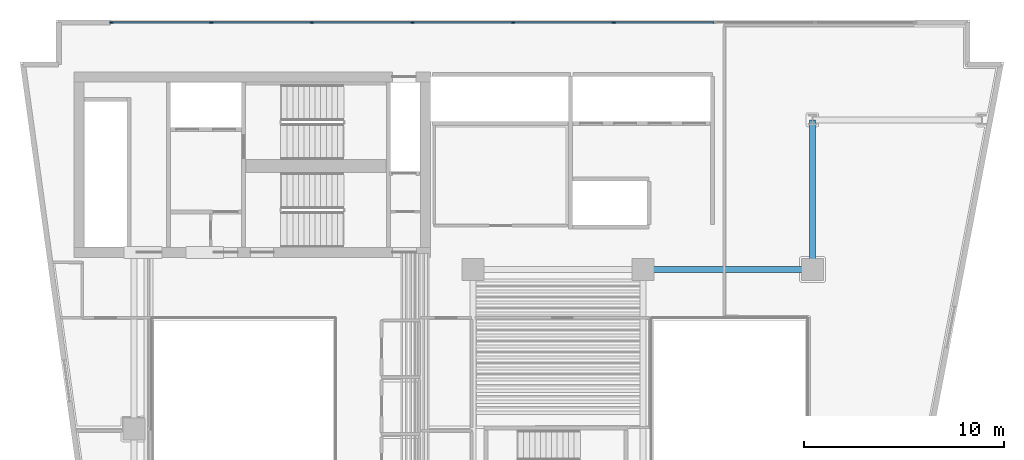
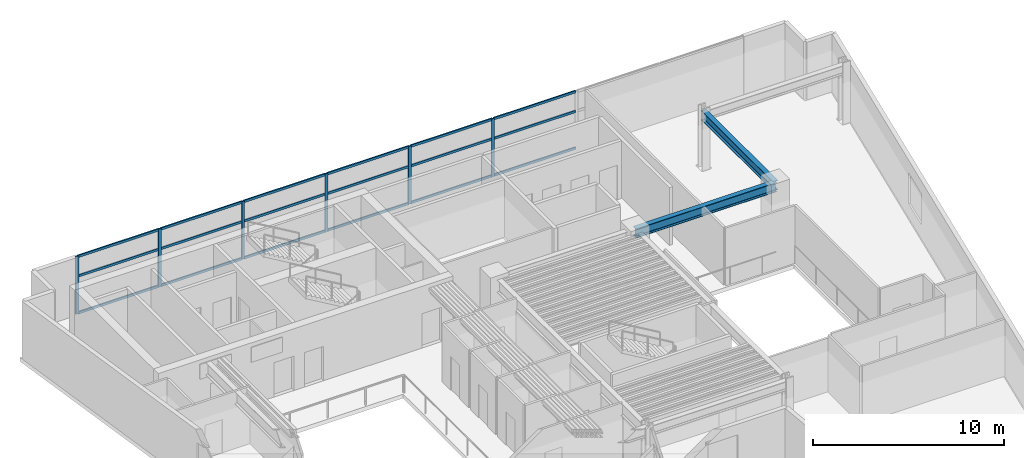
# One storey, part 3 of 12: 24 members, 2 beams, 1 element without a shape of its own.
"""IFC4 building model written with IfcOpenShell, lengths in metres."""

from ifc_helpers import new_model, si_unit, direction, frame, origin, origin_2d, place, context, subcontext, project, spatial, rectangle, i_section, extrude, material, layer, layer_set, material_profile, profile_set, type_object, element, aggregate, save


model = new_model("IFC4")

# Units and contexts
model_context = context("Model", 3, precision=1e-05, world=origin(), true_north=direction((0.0, 1.0)))
body_context = subcontext(model_context, "Body", "Model", "MODEL_VIEW")
ifc_project = project(units=[si_unit("LENGTHUNIT", "METRE"), si_unit("AREAUNIT", "SQUARE_METRE"), si_unit("VOLUMEUNIT", "CUBIC_METRE"), si_unit("PLANEANGLEUNIT", "RADIAN"), si_unit("MASSUNIT", "GRAM", prefix="KILO")], contexts=[model_context])

# Site, building, storey
site_placement = place(None, origin())
site = spatial("IfcSite", under=ifc_project, at=site_placement, CompositionType="ELEMENT")
building_placement = place(site_placement, origin())
building = spatial("IfcBuilding", under=site, at=building_placement, Name="Caeloran Harvest Quay", CompositionType="ELEMENT")
storey_placement = place(building_placement, frame((0.0, 0.0, 111.39990234375)))
storey = spatial("IfcBuildingStorey", under=building, at=storey_placement, Name="L25", CompositionType="ELEMENT", Elevation=111.39990234375)

# Beams
ifc_material_1 = material(Name="Steel S355J2", Category="steel")
ifc_material_profile_1 = material_profile(ifc_material_1, i_section(OverallWidth=0.300048828125, OverallDepth=0.60009765625, WebThickness=0.015380859375, FlangeThickness=0.030029296875, FilletRadius=0.027099609375, at=origin_2d()), Name="HE 600 B")
ifc_profile_set_1 = profile_set([ifc_material_profile_1], Name="Steel S355J2")
beam_type = type_object("IfcBeamType", Name="BM-PG-3-HE_600_B", PredefinedType="BEAM", material=ifc_profile_set_1)
beam_1_placement = place(storey_placement, frame((34.0, 31.0, 3.39013671875), z_axis=(1.0, 0.0, 0.0), x_axis=(0.0, 1.0, 0.0)))
element("IfcBeam", 1, at=beam_1_placement, inside=storey, type_object=beam_type, Name="L25 Primary East-West Girder Y=31.0", PredefinedType="BEAM", context=body_context, shape_type="SweptSolid", body=[
    extrude(i_section(OverallWidth=0.300048828125, OverallDepth=0.60009765625, WebThickness=0.015380859375, FlangeThickness=0.030029296875, FilletRadius=0.027099609375, at=origin_2d()), origin(), (0.0, 0.0, 1.0), 8.5),
])
beam_2_placement = place(storey_placement, frame((42.5, 31.0, 3.39013671875), z_axis=(0.0, 1.0, 0.0), x_axis=(-1.0, 0.0, 0.0)))
element("IfcBeam", 2, at=beam_2_placement, inside=storey, type_object=beam_type, Name="L25 Primary North-South Girder X=42.5", PredefinedType="BEAM", context=body_context, shape_type="SweptSolid", body=[
    extrude(i_section(OverallWidth=0.300048828125, OverallDepth=0.60009765625, WebThickness=0.015380859375, FlangeThickness=0.030029296875, FilletRadius=0.027099609375, at=origin_2d()), origin(), (0.0, 0.0, 1.0), 7.5),
])

# Curtain wall, members
ifc_material_2 = material(Name="Aluminium 6063-T6 and Low-E Glazing", Category="aluminium")
ifc_layer = layer(ifc_material_2, 0.18994140625, Name="Aluminium 6063-T6 and Low-E Glazing")
ifc_layer_set = layer_set([ifc_layer], Name="Aluminium 6063-T6 and Low-E Glazing")
curtain_wall_type = type_object("IfcCurtainWallType", Name="CW-SYS-CW-3", PredefinedType="USERDEFINED", material=ifc_layer_set)
curtain_wall_placement = place(storey_placement, origin())
curtain_wall = element("IfcCurtainWall", 3, at=curtain_wall_placement, inside=storey, type_object=curtain_wall_type, Name="L25 Unitised Curtain Wall CW-3 Run 6", ObjectType="CURTAIN_WALL", PredefinedType="USERDEFINED")
ifc_material_3 = material(Name="Aluminium 6063-T6", Category="aluminium")
ifc_material_profile_2 = material_profile(ifc_material_3, rectangle(XDim=0.080078125, YDim=0.179931640625, at=origin_2d()), Name="CW-MULLION-180")
ifc_profile_set_2 = profile_set([ifc_material_profile_2], Name="Aluminium 6063-T6")
member_type_1 = type_object("IfcMemberType", Name="CW-MULLION-180", PredefinedType="MULLION", material=ifc_profile_set_2)
member_1_placement = place(storey_placement, frame((7.3701171875, 43.3701171875, 0.0), z_axis=(0.0, 0.0, 1.0), x_axis=(0.0, 1.0, 0.0)))
member_1 = element("IfcMember", 4, at=member_1_placement, type_object=member_type_1, Name="CW-3 mullion 1", PredefinedType="MULLION", context=body_context, shape_type="SweptSolid", body=[
    extrude(rectangle(XDim=0.080078125, YDim=0.179931640625, at=origin_2d()), origin(), (0.0, 0.0, 1.0), 3.690185546875),
])
member_2_placement = place(storey_placement, frame((12.37255859375, 43.3701171875, 0.0), z_axis=(0.0, 0.0, 1.0), x_axis=(0.0, 1.0, 0.0)))
member_2 = element("IfcMember", 5, at=member_2_placement, type_object=member_type_1, Name="CW-3 mullion 2", PredefinedType="MULLION", context=body_context, shape_type="SweptSolid", body=[
    extrude(rectangle(XDim=0.080078125, YDim=0.179931640625, at=origin_2d()), origin(), (0.0, 0.0, 1.0), 3.690185546875),
])
member_3_placement = place(storey_placement, frame((17.4150390625, 43.3701171875, 0.0), z_axis=(0.0, 0.0, 1.0), x_axis=(0.0, 1.0, 0.0)))
member_3 = element("IfcMember", 6, at=member_3_placement, type_object=member_type_1, Name="CW-3 mullion 3", PredefinedType="MULLION", context=body_context, shape_type="SweptSolid", body=[
    extrude(rectangle(XDim=0.080078125, YDim=0.179931640625, at=origin_2d()), origin(), (0.0, 0.0, 1.0), 3.690185546875),
])
member_4_placement = place(storey_placement, frame((22.45751953125, 43.3701171875, 0.0), z_axis=(0.0, 0.0, 1.0), x_axis=(0.0, 1.0, 0.0)))
member_4 = element("IfcMember", 7, at=member_4_placement, type_object=member_type_1, Name="CW-3 mullion 4", PredefinedType="MULLION", context=body_context, shape_type="SweptSolid", body=[
    extrude(rectangle(XDim=0.080078125, YDim=0.179931640625, at=origin_2d()), origin(), (0.0, 0.0, 1.0), 3.690185546875),
])
member_5_placement = place(storey_placement, frame((27.5, 43.3701171875, 0.0), z_axis=(0.0, 0.0, 1.0), x_axis=(0.0, 1.0, 0.0)))
member_5 = element("IfcMember", 8, at=member_5_placement, type_object=member_type_1, Name="CW-3 mullion 5", PredefinedType="MULLION", context=body_context, shape_type="SweptSolid", body=[
    extrude(rectangle(XDim=0.080078125, YDim=0.179931640625, at=origin_2d()), origin(), (0.0, 0.0, 1.0), 3.690185546875),
])
member_6_placement = place(storey_placement, frame((32.54248046875, 43.3701171875, 0.0), z_axis=(0.0, 0.0, 1.0), x_axis=(0.0, 1.0, 0.0)))
member_6 = element("IfcMember", 9, at=member_6_placement, type_object=member_type_1, Name="CW-3 mullion 6", PredefinedType="MULLION", context=body_context, shape_type="SweptSolid", body=[
    extrude(rectangle(XDim=0.080078125, YDim=0.179931640625, at=origin_2d()), origin(), (0.0, 0.0, 1.0), 3.690185546875),
])
ifc_material_profile_3 = material_profile(ifc_material_3, rectangle(XDim=0.080078125, YDim=0.14990234375, at=origin_2d()), Name="CW-TRANSOM-150")
ifc_profile_set_3 = profile_set([ifc_material_profile_3], Name="Aluminium 6063-T6")
member_type_2 = type_object("IfcMemberType", Name="CW-TRANSOM-150", PredefinedType="USERDEFINED", material=ifc_profile_set_3)
member_7_placement = place(storey_placement, frame((7.409912109375, 43.3701171875, 0.0400390625), z_axis=(1.0, 0.0, 0.0), x_axis=(0.0, 1.0, 0.0)))
member_7 = element("IfcMember", 10, at=member_7_placement, type_object=member_type_2, Name="CW-3 transom 1.1", ObjectType="TRANSOM", PredefinedType="USERDEFINED", context=body_context, shape_type="SweptSolid", body=[
    extrude(rectangle(XDim=0.080078125, YDim=0.14990234375, at=origin_2d()), origin(), (0.0, 0.0, 1.0), 4.922607421875),
])
member_8_placement = place(storey_placement, frame((7.409912109375, 43.3701171875, 2.400146484375), z_axis=(1.0, 0.0, 0.0), x_axis=(0.0, 1.0, 0.0)))
member_8 = element("IfcMember", 11, at=member_8_placement, type_object=member_type_2, Name="CW-3 transom 1.2", ObjectType="TRANSOM", PredefinedType="USERDEFINED", context=body_context, shape_type="SweptSolid", body=[
    extrude(rectangle(XDim=0.080078125, YDim=0.14990234375, at=origin_2d()), origin(), (0.0, 0.0, 1.0), 4.922607421875),
])
member_9_placement = place(storey_placement, frame((7.409912109375, 43.3701171875, 3.650146484375), z_axis=(1.0, 0.0, 0.0), x_axis=(0.0, 1.0, 0.0)))
member_9 = element("IfcMember", 12, at=member_9_placement, type_object=member_type_2, Name="CW-3 transom 1.3", ObjectType="TRANSOM", PredefinedType="USERDEFINED", context=body_context, shape_type="SweptSolid", body=[
    extrude(rectangle(XDim=0.080078125, YDim=0.14990234375, at=origin_2d()), origin(), (0.0, 0.0, 1.0), 4.922607421875),
])
member_10_placement = place(storey_placement, frame((12.41259765625, 43.3701171875, 0.0400390625), z_axis=(1.0, 0.0, 0.0), x_axis=(0.0, 1.0, 0.0)))
member_10 = element("IfcMember", 13, at=member_10_placement, type_object=member_type_2, Name="CW-3 transom 2.1", ObjectType="TRANSOM", PredefinedType="USERDEFINED", context=body_context, shape_type="SweptSolid", body=[
    extrude(rectangle(XDim=0.080078125, YDim=0.14990234375, at=origin_2d()), origin(), (0.0, 0.0, 1.0), 4.96240234375),
])
member_11_placement = place(storey_placement, frame((12.41259765625, 43.3701171875, 2.400146484375), z_axis=(1.0, 0.0, 0.0), x_axis=(0.0, 1.0, 0.0)))
member_11 = element("IfcMember", 14, at=member_11_placement, type_object=member_type_2, Name="CW-3 transom 2.2", ObjectType="TRANSOM", PredefinedType="USERDEFINED", context=body_context, shape_type="SweptSolid", body=[
    extrude(rectangle(XDim=0.080078125, YDim=0.14990234375, at=origin_2d()), origin(), (0.0, 0.0, 1.0), 4.96240234375),
])
member_12_placement = place(storey_placement, frame((12.41259765625, 43.3701171875, 3.650146484375), z_axis=(1.0, 0.0, 0.0), x_axis=(0.0, 1.0, 0.0)))
member_12 = element("IfcMember", 15, at=member_12_placement, type_object=member_type_2, Name="CW-3 transom 2.3", ObjectType="TRANSOM", PredefinedType="USERDEFINED", context=body_context, shape_type="SweptSolid", body=[
    extrude(rectangle(XDim=0.080078125, YDim=0.14990234375, at=origin_2d()), origin(), (0.0, 0.0, 1.0), 4.96240234375),
])
member_13_placement = place(storey_placement, frame((17.455078125, 43.3701171875, 0.0400390625), z_axis=(1.0, 0.0, 0.0), x_axis=(0.0, 1.0, 0.0)))
member_13 = element("IfcMember", 16, at=member_13_placement, type_object=member_type_2, Name="CW-3 transom 3.1", ObjectType="TRANSOM", PredefinedType="USERDEFINED", context=body_context, shape_type="SweptSolid", body=[
    extrude(rectangle(XDim=0.080078125, YDim=0.14990234375, at=origin_2d()), origin(), (0.0, 0.0, 1.0), 4.96240234375),
])
member_14_placement = place(storey_placement, frame((17.455078125, 43.3701171875, 2.400146484375), z_axis=(1.0, 0.0, 0.0), x_axis=(0.0, 1.0, 0.0)))
member_14 = element("IfcMember", 17, at=member_14_placement, type_object=member_type_2, Name="CW-3 transom 3.2", ObjectType="TRANSOM", PredefinedType="USERDEFINED", context=body_context, shape_type="SweptSolid", body=[
    extrude(rectangle(XDim=0.080078125, YDim=0.14990234375, at=origin_2d()), origin(), (0.0, 0.0, 1.0), 4.96240234375),
])
member_15_placement = place(storey_placement, frame((17.455078125, 43.3701171875, 3.650146484375), z_axis=(1.0, 0.0, 0.0), x_axis=(0.0, 1.0, 0.0)))
member_15 = element("IfcMember", 18, at=member_15_placement, type_object=member_type_2, Name="CW-3 transom 3.3", ObjectType="TRANSOM", PredefinedType="USERDEFINED", context=body_context, shape_type="SweptSolid", body=[
    extrude(rectangle(XDim=0.080078125, YDim=0.14990234375, at=origin_2d()), origin(), (0.0, 0.0, 1.0), 4.96240234375),
])
member_16_placement = place(storey_placement, frame((22.49755859375, 43.3701171875, 0.0400390625), z_axis=(1.0, 0.0, 0.0), x_axis=(0.0, 1.0, 0.0)))
member_16 = element("IfcMember", 19, at=member_16_placement, type_object=member_type_2, Name="CW-3 transom 4.1", ObjectType="TRANSOM", PredefinedType="USERDEFINED", context=body_context, shape_type="SweptSolid", body=[
    extrude(rectangle(XDim=0.080078125, YDim=0.14990234375, at=origin_2d()), origin(), (0.0, 0.0, 1.0), 4.96240234375),
])
member_17_placement = place(storey_placement, frame((22.49755859375, 43.3701171875, 2.400146484375), z_axis=(1.0, 0.0, 0.0), x_axis=(0.0, 1.0, 0.0)))
member_17 = element("IfcMember", 20, at=member_17_placement, type_object=member_type_2, Name="CW-3 transom 4.2", ObjectType="TRANSOM", PredefinedType="USERDEFINED", context=body_context, shape_type="SweptSolid", body=[
    extrude(rectangle(XDim=0.080078125, YDim=0.14990234375, at=origin_2d()), origin(), (0.0, 0.0, 1.0), 4.96240234375),
])
member_18_placement = place(storey_placement, frame((22.49755859375, 43.3701171875, 3.650146484375), z_axis=(1.0, 0.0, 0.0), x_axis=(0.0, 1.0, 0.0)))
member_18 = element("IfcMember", 21, at=member_18_placement, type_object=member_type_2, Name="CW-3 transom 4.3", ObjectType="TRANSOM", PredefinedType="USERDEFINED", context=body_context, shape_type="SweptSolid", body=[
    extrude(rectangle(XDim=0.080078125, YDim=0.14990234375, at=origin_2d()), origin(), (0.0, 0.0, 1.0), 4.96240234375),
])
member_19_placement = place(storey_placement, frame((27.5400390625, 43.3701171875, 0.0400390625), z_axis=(1.0, 0.0, 0.0), x_axis=(0.0, 1.0, 0.0)))
member_19 = element("IfcMember", 22, at=member_19_placement, type_object=member_type_2, Name="CW-3 transom 5.1", ObjectType="TRANSOM", PredefinedType="USERDEFINED", context=body_context, shape_type="SweptSolid", body=[
    extrude(rectangle(XDim=0.080078125, YDim=0.14990234375, at=origin_2d()), origin(), (0.0, 0.0, 1.0), 4.96240234375),
])
member_20_placement = place(storey_placement, frame((27.5400390625, 43.3701171875, 2.400146484375), z_axis=(1.0, 0.0, 0.0), x_axis=(0.0, 1.0, 0.0)))
member_20 = element("IfcMember", 23, at=member_20_placement, type_object=member_type_2, Name="CW-3 transom 5.2", ObjectType="TRANSOM", PredefinedType="USERDEFINED", context=body_context, shape_type="SweptSolid", body=[
    extrude(rectangle(XDim=0.080078125, YDim=0.14990234375, at=origin_2d()), origin(), (0.0, 0.0, 1.0), 4.96240234375),
])
member_21_placement = place(storey_placement, frame((27.5400390625, 43.3701171875, 3.650146484375), z_axis=(1.0, 0.0, 0.0), x_axis=(0.0, 1.0, 0.0)))
member_21 = element("IfcMember", 24, at=member_21_placement, type_object=member_type_2, Name="CW-3 transom 5.3", ObjectType="TRANSOM", PredefinedType="USERDEFINED", context=body_context, shape_type="SweptSolid", body=[
    extrude(rectangle(XDim=0.080078125, YDim=0.14990234375, at=origin_2d()), origin(), (0.0, 0.0, 1.0), 4.96240234375),
])
member_22_placement = place(storey_placement, frame((32.58251953125, 43.3701171875, 0.0400390625), z_axis=(1.0, 0.0, 0.0), x_axis=(0.0, 1.0, 0.0)))
member_22 = element("IfcMember", 25, at=member_22_placement, type_object=member_type_2, Name="CW-3 transom 6.1", ObjectType="TRANSOM", PredefinedType="USERDEFINED", context=body_context, shape_type="SweptSolid", body=[
    extrude(rectangle(XDim=0.080078125, YDim=0.14990234375, at=origin_2d()), origin(), (0.0, 0.0, 1.0), 4.96240234375),
])
member_23_placement = place(storey_placement, frame((32.58251953125, 43.3701171875, 2.400146484375), z_axis=(1.0, 0.0, 0.0), x_axis=(0.0, 1.0, 0.0)))
member_23 = element("IfcMember", 26, at=member_23_placement, type_object=member_type_2, Name="CW-3 transom 6.2", ObjectType="TRANSOM", PredefinedType="USERDEFINED", context=body_context, shape_type="SweptSolid", body=[
    extrude(rectangle(XDim=0.080078125, YDim=0.14990234375, at=origin_2d()), origin(), (0.0, 0.0, 1.0), 4.96240234375),
])
member_24_placement = place(storey_placement, frame((32.58251953125, 43.3701171875, 3.650146484375), z_axis=(1.0, 0.0, 0.0), x_axis=(0.0, 1.0, 0.0)))
member_24 = element("IfcMember", 27, at=member_24_placement, type_object=member_type_2, Name="CW-3 transom 6.3", ObjectType="TRANSOM", PredefinedType="USERDEFINED", context=body_context, shape_type="SweptSolid", body=[
    extrude(rectangle(XDim=0.080078125, YDim=0.14990234375, at=origin_2d()), origin(), (0.0, 0.0, 1.0), 4.96240234375),
])
aggregate(curtain_wall, [member_1, member_2, member_3, member_4, member_5, member_6, member_7, member_8, member_9, member_10, member_11, member_12, member_13, member_14, member_15, member_16, member_17, member_18, member_19, member_20, member_21, member_22, member_23, member_24])

save(model, "model.ifc")
